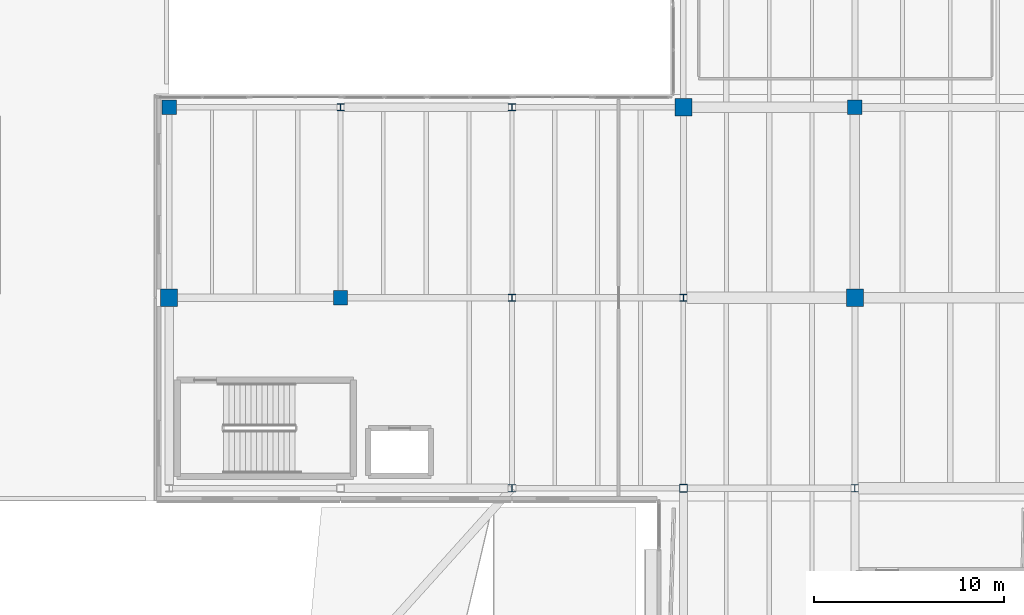
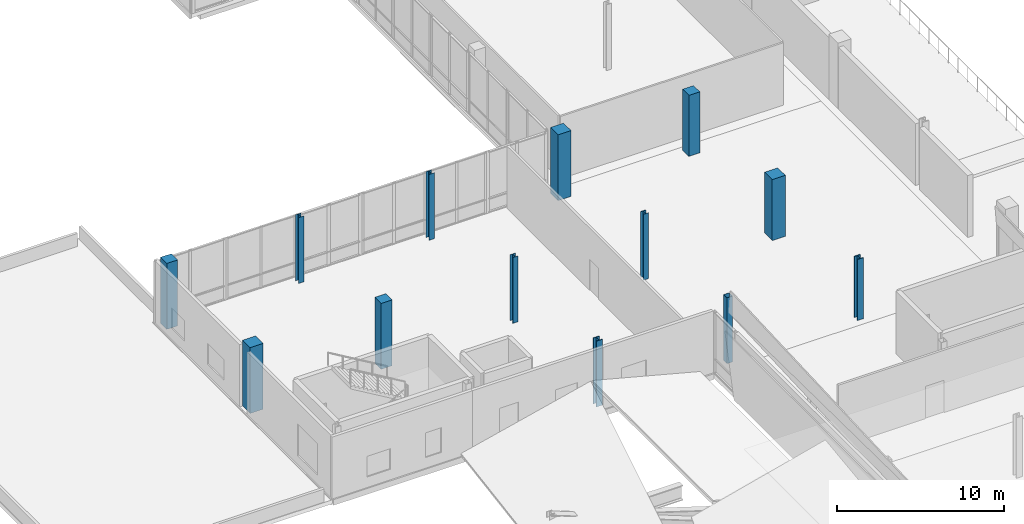
# One storey, part 2 of 41: 13 columns.
"""IFC4 building model written with IfcOpenShell, lengths in metres."""

from ifc_helpers import new_model, si_unit, direction, frame, origin, origin_2d, place, context, subcontext, project, spatial, rectangle, hollow_rectangle, i_section, extrude, material, material_profile, profile_set, type_object, element, save


model = new_model("IFC4")

# Units and contexts
model_context = context("Model", 3, precision=1e-05, world=origin(), true_north=direction((0.0, 1.0)))
body_context = subcontext(model_context, "Body", "Model", "MODEL_VIEW")
ifc_project = project(units=[si_unit("LENGTHUNIT", "METRE"), si_unit("AREAUNIT", "SQUARE_METRE"), si_unit("VOLUMEUNIT", "CUBIC_METRE"), si_unit("PLANEANGLEUNIT", "RADIAN"), si_unit("MASSUNIT", "GRAM", prefix="KILO")], contexts=[model_context])

# Site, building, storey
site_placement = place(None, origin())
site = spatial("IfcSite", under=ifc_project, at=site_placement, CompositionType="ELEMENT")
building_placement = place(site_placement, origin())
building = spatial("IfcBuilding", under=site, at=building_placement, Name="Trimount Lyric Opera House", CompositionType="ELEMENT")
storey_placement = place(building_placement, frame((0.0, 0.0, 20.0)))
storey = spatial("IfcBuildingStorey", under=building, at=storey_placement, Name="L04", CompositionType="ELEMENT", Elevation=20.0)

# Columns
ifc_material_1 = material(Name="Steel ASTM A992 Grade 50", Category="steel")
ifc_material_profile_1 = material_profile(ifc_material_1, i_section(OverallWidth=0.406005859375, OverallDepth=0.4169921875, WebThickness=0.02978515625, FlangeThickness=0.048095703125, FilletRadius=0.01806640625, at=origin_2d()), Name="W14X257")
ifc_profile_set_1 = profile_set([ifc_material_profile_1], Name="Steel ASTM A992 Grade 50")
column_type_1 = type_object("IfcColumnType", Name="C-02", PredefinedType="COLUMN", material=ifc_profile_set_1)
column_1_placement = place(storey_placement, frame((36.0, 54.0, 0.0), z_axis=(0.0, 0.0, 1.0), x_axis=(1.0, 0.0, 0.0)))
element("IfcColumn", 1, at=column_1_placement, inside=storey, type_object=column_type_1, Name="L04 column 5/G", PredefinedType="COLUMN", context=body_context, shape_type="SweptSolid", body=[
    extrude(i_section(OverallWidth=0.406005859375, OverallDepth=0.4169921875, WebThickness=0.02978515625, FlangeThickness=0.048095703125, FilletRadius=0.01806640625, at=origin_2d()), origin(), (0.0, 0.0, 1.0), 4.800048828125),
])
column_2_placement = place(storey_placement, frame((54.0, 54.0, 0.0), z_axis=(0.0, 0.0, 1.0), x_axis=(1.0, 0.0, 0.0)))
element("IfcColumn", 2, at=column_2_placement, inside=storey, type_object=column_type_1, Name="L04 column 7/G", PredefinedType="COLUMN", context=body_context, shape_type="SweptSolid", body=[
    extrude(i_section(OverallWidth=0.406005859375, OverallDepth=0.4169921875, WebThickness=0.02978515625, FlangeThickness=0.048095703125, FilletRadius=0.01806640625, at=origin_2d()), origin(), (0.0, 0.0, 1.0), 4.449951171875),
])
ifc_material_2 = material(Name="Steel ASTM A992 Grade 50", Category="steel")
ifc_material_profile_2 = material_profile(ifc_material_2, i_section(OverallWidth=0.367919921875, OverallDepth=0.35595703125, WebThickness=0.01123046875, FlangeThickness=0.01806640625, FilletRadius=0.014892578125, at=origin_2d()), Name="W14X90")
ifc_profile_set_2 = profile_set([ifc_material_profile_2], Name="Steel ASTM A992 Grade 50")
column_type_2 = type_object("IfcColumnType", Name="C-05", PredefinedType="COLUMN", material=ifc_profile_set_2)
for number, where, z_axis, x_axis, name in (
    (3, (36.0, 74.0, 0.0), (0.0, 0.0, 1.0), (1.0, 0.0, 0.0), "L04 column 5/J"),
    (4, (45.0, 64.0, 0.0), (0.0, 0.0, 1.0), (1.0, 0.0, 0.0), "L04 column 6/H"),
):
    element("IfcColumn", number, at=place(storey_placement, frame(where, z_axis=z_axis, x_axis=x_axis)), inside=storey, type_object=column_type_2, Name=name, PredefinedType="COLUMN", context=body_context, shape_type="SweptSolid", body=[
        extrude(i_section(OverallWidth=0.367919921875, OverallDepth=0.35595703125, WebThickness=0.01123046875, FlangeThickness=0.01806640625, FilletRadius=0.014892578125, at=origin_2d()), origin(), (0.0, 0.0, 1.0), 4.800048828125),
    ])
ifc_material_3 = material(Name="Steel ASTM A500 Grade C", Category="steel")
ifc_material_profile_3 = material_profile(ifc_material_3, hollow_rectangle(XDim=0.406494140625, YDim=0.406494140625, WallThickness=0.014892578125, InnerFilletRadius=0.01513671875, OuterFilletRadius=0.030029296875, at=origin_2d()), Name="HSS406.4X406.4X15.9")
ifc_profile_set_3 = profile_set([ifc_material_profile_3], Name="Steel ASTM A500 Grade C")
column_type_3 = type_object("IfcColumnType", Name="C-07", PredefinedType="COLUMN", material=ifc_profile_set_3)
column_3_placement = place(storey_placement, frame((45.0, 54.0, 0.0), z_axis=(0.0, 0.0, 1.0), x_axis=(1.0, 0.0, 0.0)))
element("IfcColumn", 5, at=column_3_placement, inside=storey, type_object=column_type_3, Name="L04 column 6/G", PredefinedType="COLUMN", context=body_context, shape_type="SweptSolid", body=[
    extrude(hollow_rectangle(XDim=0.406494140625, YDim=0.406494140625, WallThickness=0.014892578125, InnerFilletRadius=0.01513671875, OuterFilletRadius=0.030029296875, at=origin_2d()), origin(), (0.0, 0.0, 1.0), 4.800048828125),
])
ifc_material_4 = material(Name="Steel ASTM A992 Grade 50", Category="steel")
ifc_material_profile_4 = material_profile(ifc_material_4, i_section(OverallWidth=0.367919921875, OverallDepth=0.35595703125, WebThickness=0.01123046875, FlangeThickness=0.01806640625, FilletRadius=0.014892578125, at=origin_2d()), Name="W14X90")
ifc_profile_set_4 = profile_set([ifc_material_profile_4], Name="Steel ASTM A992 Grade 50")
column_type_4 = type_object("IfcColumnType", Name="C-09", PredefinedType="COLUMN", material=ifc_profile_set_4)
for number, where, z_axis, x_axis, name in (
    (6, (27.0, 74.0, 0.0), (0.0, 0.0, 1.0), (1.0, 0.0, 0.0), "L04 column 4/J"),
    (7, (36.0, 64.0, 0.0), (0.0, 0.0, 1.0), (1.0, 0.0, 0.0), "L04 column 5/H"),
):
    element("IfcColumn", number, at=place(storey_placement, frame(where, z_axis=z_axis, x_axis=x_axis)), inside=storey, type_object=column_type_4, Name=name, PredefinedType="COLUMN", context=body_context, shape_type="SweptSolid", body=[
        extrude(i_section(OverallWidth=0.367919921875, OverallDepth=0.35595703125, WebThickness=0.01123046875, FlangeThickness=0.01806640625, FilletRadius=0.014892578125, at=origin_2d()), origin(), (0.0, 0.0, 1.0), 4.800048828125),
    ])
ifc_material_5 = material(Name="Concrete C50/60", Category="concrete")
ifc_material_profile_5 = material_profile(ifc_material_5, rectangle(XDim=0.89990234375, YDim=0.89990234375, at=origin_2d()), Name="RC900X900")
ifc_profile_set_5 = profile_set([ifc_material_profile_5], Name="Concrete C50/60")
column_type_5 = type_object("IfcColumnType", Name="C-13", PredefinedType="COLUMN", material=ifc_profile_set_5)
for number, where, z_axis, x_axis, name in (
    (8, (18.0, 64.0, 0.0), (0.0, 0.0, 1.0), (1.0, 0.0, 0.0), "L04 column 3/H"),
    (9, (45.0, 74.0, 0.0), (0.0, 0.0, 1.0), (1.0, 0.0, 0.0), "L04 column 6/J"),
):
    element("IfcColumn", number, at=place(storey_placement, frame(where, z_axis=z_axis, x_axis=x_axis)), inside=storey, type_object=column_type_5, Name=name, PredefinedType="COLUMN", context=body_context, shape_type="SweptSolid", body=[
        extrude(rectangle(XDim=0.89990234375, YDim=0.89990234375, at=origin_2d()), origin(), (0.0, 0.0, 1.0), 4.800048828125),
    ])
column_4_placement = place(storey_placement, frame((54.0, 64.0, 0.0), z_axis=(0.0, 0.0, 1.0), x_axis=(1.0, 0.0, 0.0)))
element("IfcColumn", 10, at=column_4_placement, inside=storey, type_object=column_type_5, Name="L04 column 7/H", PredefinedType="COLUMN", context=body_context, shape_type="SweptSolid", body=[
    extrude(rectangle(XDim=0.89990234375, YDim=0.89990234375, at=origin_2d()), origin(), (0.0, 0.0, 1.0), 4.449951171875),
])
ifc_material_6 = material(Name="Concrete C40/50", Category="concrete")
ifc_material_profile_6 = material_profile(ifc_material_6, rectangle(XDim=0.75, YDim=0.75, at=origin_2d()), Name="RC750X750")
ifc_profile_set_6 = profile_set([ifc_material_profile_6], Name="Concrete C40/50")
column_type_6 = type_object("IfcColumnType", Name="C-15", PredefinedType="COLUMN", material=ifc_profile_set_6)
for number, where, z_axis, x_axis, name in (
    (11, (18.0, 74.0, 0.0), (0.0, 0.0, 1.0), (1.0, 0.0, 0.0), "L04 column 3/J"),
    (12, (27.0, 64.0, 0.0), (0.0, 0.0, 1.0), (1.0, 0.0, 0.0), "L04 column 4/H"),
):
    element("IfcColumn", number, at=place(storey_placement, frame(where, z_axis=z_axis, x_axis=x_axis)), inside=storey, type_object=column_type_6, Name=name, PredefinedType="COLUMN", context=body_context, shape_type="SweptSolid", body=[
        extrude(rectangle(XDim=0.75, YDim=0.75, at=origin_2d()), origin(), (0.0, 0.0, 1.0), 4.800048828125),
    ])
column_5_placement = place(storey_placement, frame((54.0, 74.0, 0.0), z_axis=(0.0, 0.0, 1.0), x_axis=(1.0, 0.0, 0.0)))
element("IfcColumn", 13, at=column_5_placement, inside=storey, type_object=column_type_6, Name="L04 column 7/J", PredefinedType="COLUMN", context=body_context, shape_type="SweptSolid", body=[
    extrude(rectangle(XDim=0.75, YDim=0.75, at=origin_2d()), origin(), (0.0, 0.0, 1.0), 4.449951171875),
])

save(model, "model.ifc")
